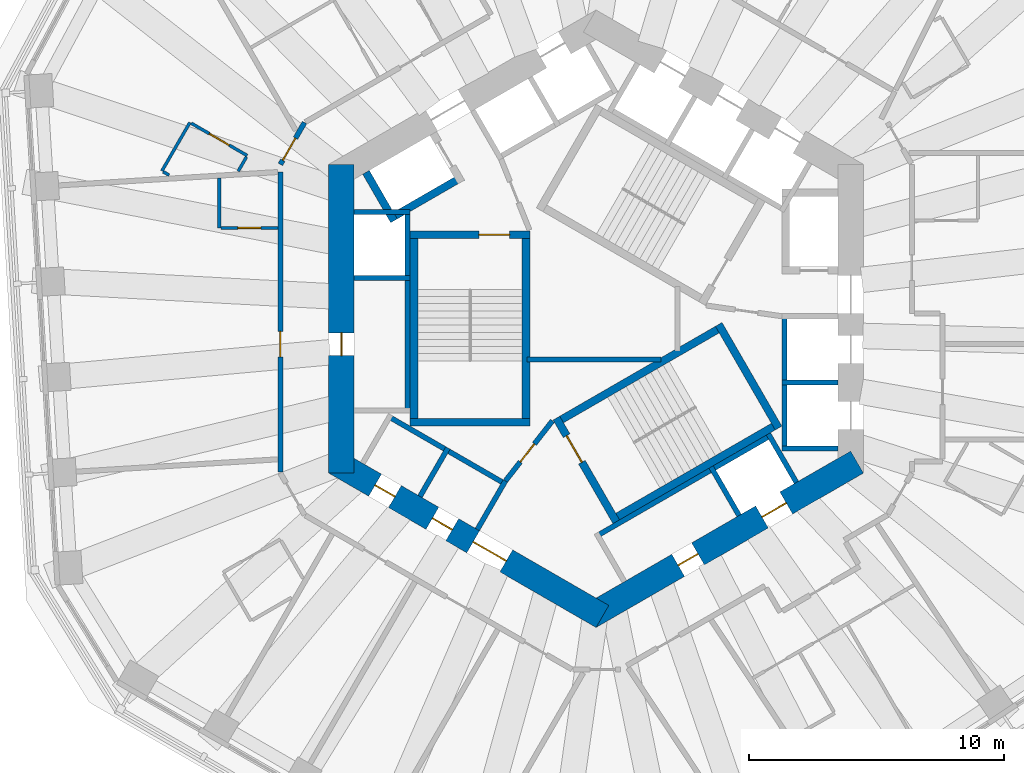
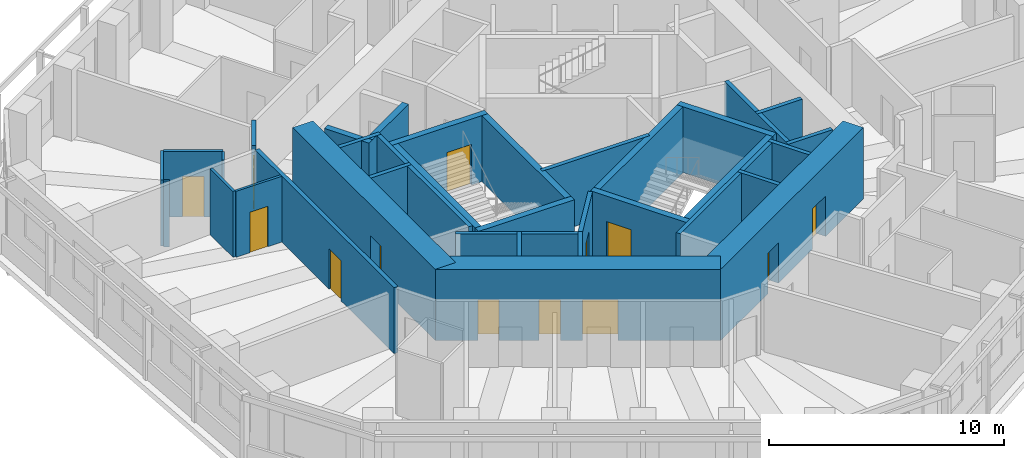
# One storey, part 5 of 12: 35 walls, 13 doors, 13 openings.
"""IFC4 building model written with IfcOpenShell, lengths in metres."""

from ifc_helpers import new_model, si_unit, direction, frame, frame_2d, origin, place, context, subcontext, project, spatial, rectangle, extrude, material, layer, layer_set, type_object, element, fill, save


model = new_model("IFC4")

# Units and contexts
model_context = context("Model", 3, precision=1e-05, world=origin(), true_north=direction((0.0, 1.0)))
body_context = subcontext(model_context, "Body", "Model", "MODEL_VIEW")
ifc_project = project(units=[si_unit("LENGTHUNIT", "METRE"), si_unit("AREAUNIT", "SQUARE_METRE"), si_unit("VOLUMEUNIT", "CUBIC_METRE"), si_unit("PLANEANGLEUNIT", "RADIAN"), si_unit("MASSUNIT", "GRAM", prefix="KILO")], contexts=[model_context])

# Site, building, storey
site_placement = place(None, origin())
site = spatial("IfcSite", under=ifc_project, at=site_placement, CompositionType="ELEMENT")
building_placement = place(site_placement, origin())
building = spatial("IfcBuilding", under=site, at=building_placement, Name="Vanh Sen Convention Tower", CompositionType="ELEMENT")
storey_placement = place(building_placement, frame((0.0, 0.0, 124.39990234375)))
storey = spatial("IfcBuildingStorey", under=building, at=storey_placement, Name="L30", CompositionType="ELEMENT", Elevation=124.39990234375)

# Walls
ifc_material_1 = material(Name="Moisture-resistant gypsum board on steel studs", Category="steel")
ifc_layer_1 = layer(ifc_material_1, 0.1201171875)
ifc_layer_set_1 = layer_set([ifc_layer_1], Name="Moisture-resistant gypsum board on steel studs")
wall_type_1 = type_object("IfcWallType", Name="Bathroom partition 120", PredefinedType="PARTITIONING", material=ifc_layer_set_1)
wall_1_placement = place(storey_placement, frame((-17.052490234375, 5.8037109375, 0.0), z_axis=(0.0, 0.0, 1.0), x_axis=(0.50002983664, 0.866008176907, 0.0)))
element("IfcWall", 1, at=wall_1_placement, inside=storey, type_object=wall_type_1, Name="Bathroom partition 120", PredefinedType="PARTITIONING", context=body_context, shape_type="SweptSolid", body=[
    extrude(rectangle(XDim=2.199951171875, YDim=0.1201171875, at=frame_2d((1.10009765625, 0.0))), origin(), (0.0, 0.0, 1.0), 3.420166015625),
])
wall_2_placement = place(storey_placement, frame((-16.769287109375, 5.64013671875, 0.0), z_axis=(0.0, 0.0, 1.0), x_axis=(-0.865926680471, 0.500170954823, 0.0)))
element("IfcWall", 2, at=wall_2_placement, inside=storey, type_object=wall_type_1, Name="Bathroom partition 120", PredefinedType="PARTITIONING", context=body_context, shape_type="SweptSolid", body=[
    extrude(rectangle(XDim=0.26708984375, YDim=0.1201171875, at=frame_2d((0.133544921875, 0.0))), origin(), (0.0, 0.0, 1.0), 3.420166015625),
])

# Wall, opening, door
wall_3_placement = place(storey_placement, frame((-15.900390625, 7.67919921875, 0.0), z_axis=(0.0, 0.0, 1.0), x_axis=(0.866022320763, -0.500005339912, 0.0)))
wall_3 = element("IfcWall", 3, at=wall_3_placement, inside=storey, type_object=wall_type_1, Name="Bathroom partition 120", PredefinedType="PARTITIONING", context=body_context, shape_type="SweptSolid", body=[
    extrude(rectangle(XDim=2.5400390625, YDim=0.1201171875, at=frame_2d((1.27001953125, 0.0))), origin(), (0.0, 0.0, 1.0), 3.420166015625),
])
opening_1_placement = place(wall_3_placement, frame((0.820068359375, 0.0, 0.0)))
opening_1 = element("IfcOpeningElement", 4, at=opening_1_placement, cuts=wall_3, Name="Opening D30114", PredefinedType="OPENING", context=body_context, shape_type="SweptSolid", body=[
    extrude(rectangle(XDim=0.89990234375, YDim=2.10009765625, at=frame_2d((0.449951171875, 1.050048828125))), frame((0.0, 0.070068359375, 0.0), z_axis=(0.0, -1.0, 0.0), x_axis=(1.0, 0.0, 0.0)), (0.0, 0.0, 1.0), 0.14013671875),
])
ifc_material_2 = material(Name="Laminate door in steel frame", Category="steel")
door_type_1 = type_object("IfcDoorType", Name="Room internal door 900", OperationType="SINGLE_SWING_LEFT", PredefinedType="DOOR", material=ifc_material_2)
door_1_placement = place(opening_1_placement, origin())
door_1 = element("IfcDoor", 5, at=door_1_placement, inside=storey, type_object=door_type_1, Name="Internal room door D30114", OperationType="SINGLE_SWING_LEFT", OverallHeight=2.10009765625, OverallWidth=0.89990234375, PredefinedType="DOOR", context=body_context, shape_type="SweptSolid", body=[
    extrude(rectangle(XDim=0.89990234375, YDim=2.10009765625, at=frame_2d((0.449951171875, 1.050048828125))), frame((0.0, 0.02490234375, 0.0), z_axis=(0.0, -1.0, 0.0), x_axis=(1.0, 0.0, 0.0)), (0.0, 0.0, 1.0), 0.050048828125),
])
fill(opening_1, door_1)

# Walls
wall_4_placement = place(storey_placement, frame((-14.800048828125, 3.569091796875, 0.0), z_axis=(0.0, 0.0, 1.0), x_axis=(0.0, 1.0, 0.0)))
element("IfcWall", 6, at=wall_4_placement, inside=storey, type_object=wall_type_1, Name="Bathroom partition 120", PredefinedType="PARTITIONING", context=body_context, shape_type="SweptSolid", body=[
    extrude(rectangle(XDim=1.953369140625, YDim=0.1201171875, at=frame_2d((0.9765625, 0.0))), origin(), (0.0, 0.0, 1.0), 3.420166015625),
])
wall_5_placement = place(storey_placement, frame((-13.730712890625, 6.357177734375, 0.0), z_axis=(0.0, 0.0, 1.0), x_axis=(-0.500090215447, -0.865973311606, 0.0)))
element("IfcWall", 7, at=wall_5_placement, inside=storey, type_object=wall_type_1, Name="Bathroom partition 120", PredefinedType="PARTITIONING", context=body_context, shape_type="SweptSolid", body=[
    extrude(rectangle(XDim=0.6513671875, YDim=0.1201171875, at=frame_2d((0.32568359375, 0.0))), origin(), (0.0, 0.0, 1.0), 3.420166015625),
])

# Wall, opening, door
wall_6_placement = place(storey_placement, frame((-12.5, 3.569091796875, 0.0), z_axis=(0.0, 0.0, 1.0), x_axis=(-1.0, 0.0, 0.0)))
wall_6 = element("IfcWall", 8, at=wall_6_placement, inside=storey, type_object=wall_type_1, Name="Bathroom partition 120", PredefinedType="PARTITIONING", context=body_context, shape_type="SweptSolid", body=[
    extrude(rectangle(XDim=2.239990234375, YDim=0.1201171875, at=frame_2d((1.1201171875, 0.0))), origin(), (0.0, 0.0, 1.0), 3.420166015625),
])
opening_2_placement = place(wall_6_placement, frame((0.669921875, 0.0, 0.0)))
opening_2 = element("IfcOpeningElement", 9, at=opening_2_placement, cuts=wall_6, Name="Opening D30116", PredefinedType="OPENING", context=body_context, shape_type="SweptSolid", body=[
    extrude(rectangle(XDim=0.89990234375, YDim=2.10009765625, at=frame_2d((0.449951171875, 1.050048828125))), frame((0.0, 0.070068359375, 0.0), z_axis=(0.0, -1.0, 0.0), x_axis=(1.0, 0.0, 0.0)), (0.0, 0.0, 1.0), 0.14013671875),
])
door_2_placement = place(opening_2_placement, origin())
door_2 = element("IfcDoor", 10, at=door_2_placement, inside=storey, type_object=door_type_1, Name="Internal room door D30116", OperationType="SINGLE_SWING_LEFT", OverallHeight=2.10009765625, OverallWidth=0.89990234375, PredefinedType="DOOR", context=body_context, shape_type="SweptSolid", body=[
    extrude(rectangle(XDim=0.89990234375, YDim=2.10009765625, at=frame_2d((0.449951171875, 1.050048828125))), frame((0.0, 0.02490234375, 0.0), z_axis=(0.0, -1.0, 0.0), x_axis=(1.0, 0.0, 0.0)), (0.0, 0.0, 1.0), 0.050048828125),
])
fill(opening_2, door_2)

ifc_material_3 = material(Name="Concrete C80/95", Category="concrete")
ifc_layer_2 = layer(ifc_material_3, 1.0)
ifc_layer_set_2 = layer_set([ifc_layer_2], Name="Concrete C80/95")
wall_type_2 = type_object("IfcWallType", Name="Core outer wall 1000 C80/95", PredefinedType="SHEAR", material=ifc_layer_set_2)
wall_7_placement = place(storey_placement, frame((-10.0, 6.062255859375, 0.0), z_axis=(0.0, 0.0, 1.0), x_axis=(0.0, -1.0, 0.0)))
wall_7 = element("IfcWall", 11, at=wall_7_placement, inside=storey, type_object=wall_type_2, Name="Core wall face W L30", PredefinedType="SHEAR", context=body_context, shape_type="SweptSolid", body=[
    extrude(rectangle(XDim=12.12451171875, YDim=1.0, at=frame_2d((6.062255859375, 0.0))), origin(), (0.0, 0.0, 1.0), 3.7001953125),
])
opening_3_placement = place(wall_7_placement, frame((6.6123046875, 0.0, 0.0)))
opening_3 = element("IfcOpeningElement", 12, at=opening_3_placement, cuts=wall_7, Name="Opening D30010", PredefinedType="OPENING", context=body_context, shape_type="SweptSolid", body=[
    extrude(rectangle(XDim=0.89990234375, YDim=2.10009765625, at=frame_2d((0.449951171875, 1.050048828125))), frame((0.0, 0.510009765625, 0.0), z_axis=(0.0, -1.0, 0.0), x_axis=(1.0, 0.0, 0.0)), (0.0, 0.0, 1.0), 1.02001953125),
])
ifc_material_4 = material(Name="Steel S355", Category="steel")
door_type_2 = type_object("IfcDoorType", Name="Plant door 900", OperationType="SINGLE_SWING_LEFT", PredefinedType="DOOR", material=ifc_material_4)
door_3_placement = place(opening_3_placement, origin())
door_3 = element("IfcDoor", 13, at=door_3_placement, inside=storey, type_object=door_type_2, Name="Plant door D30010", OperationType="SINGLE_SWING_LEFT", OverallHeight=2.10009765625, OverallWidth=0.89990234375, PredefinedType="DOOR", context=body_context, shape_type="SweptSolid", body=[
    extrude(rectangle(XDim=0.89990234375, YDim=2.10009765625, at=frame_2d((0.449951171875, 1.050048828125))), frame((0.0, 0.02490234375, 0.0), z_axis=(0.0, -1.0, 0.0), x_axis=(1.0, 0.0, 0.0)), (0.0, 0.0, 1.0), 0.050048828125),
])
fill(opening_3, door_3)

# Wall, openings, doors
wall_8_placement = place(storey_placement, frame((-10.25, -5.629150390625, 0.0), z_axis=(0.0, 0.0, 1.0), x_axis=(0.866022616891, -0.50000482701, 0.0)))
wall_8 = element("IfcWall", 14, at=wall_8_placement, inside=storey, type_object=wall_type_2, Name="Core wall face SW L30", PredefinedType="SHEAR", context=body_context, shape_type="SweptSolid", body=[
    extrude(rectangle(XDim=12.12451171875, YDim=1.0, at=frame_2d((6.062255859375, 0.0))), origin(), (0.0, 0.0, 1.0), 3.7001953125),
])
opening_4_placement = place(wall_8_placement, frame((6.26220703125, 0.0, 0.0)))
opening_4 = element("IfcOpeningElement", 15, at=opening_4_placement, cuts=wall_8, Name="Opening D30003", PredefinedType="OPENING", context=body_context, shape_type="SweptSolid", body=[
    extrude(rectangle(XDim=1.5, YDim=2.10009765625, at=frame_2d((0.75, 1.050048828125))), frame((0.0, 0.510009765625, 0.0), z_axis=(0.0, -1.0, 0.0), x_axis=(1.0, 0.0, 0.0)), (0.0, 0.0, 1.0), 1.02001953125),
])
opening_5_placement = place(wall_8_placement, frame((1.812255859375, 0.0, 0.0)))
opening_5 = element("IfcOpeningElement", 16, at=opening_5_placement, cuts=wall_8, Name="Opening D30011", PredefinedType="OPENING", context=body_context, shape_type="SweptSolid", body=[
    extrude(rectangle(XDim=0.89990234375, YDim=2.10009765625, at=frame_2d((0.449951171875, 1.050048828125))), frame((0.0, 0.510009765625, 0.0), z_axis=(0.0, -1.0, 0.0), x_axis=(1.0, 0.0, 0.0)), (0.0, 0.0, 1.0), 1.02001953125),
])
opening_6_placement = place(wall_8_placement, frame((4.412109375, 0.0, 0.0)))
opening_6 = element("IfcOpeningElement", 17, at=opening_6_placement, cuts=wall_8, Name="Opening D30012", PredefinedType="OPENING", context=body_context, shape_type="SweptSolid", body=[
    extrude(rectangle(XDim=0.89990234375, YDim=2.10009765625, at=frame_2d((0.449951171875, 1.050048828125))), frame((0.0, 0.510009765625, 0.0), z_axis=(0.0, -1.0, 0.0), x_axis=(1.0, 0.0, 0.0)), (0.0, 0.0, 1.0), 1.02001953125),
])
door_4_placement = place(opening_5_placement, origin())
door_4 = element("IfcDoor", 18, at=door_4_placement, inside=storey, type_object=door_type_2, Name="Plant door D30011", OperationType="SINGLE_SWING_LEFT", OverallHeight=2.10009765625, OverallWidth=0.89990234375, PredefinedType="DOOR", context=body_context, shape_type="SweptSolid", body=[
    extrude(rectangle(XDim=0.89990234375, YDim=2.10009765625, at=frame_2d((0.449951171875, 1.050048828125))), frame((0.0, 0.02490234375, 0.0), z_axis=(0.0, -1.0, 0.0), x_axis=(1.0, 0.0, 0.0)), (0.0, 0.0, 1.0), 0.050048828125),
])
fill(opening_5, door_4)
door_5_placement = place(opening_6_placement, origin())
door_5 = element("IfcDoor", 19, at=door_5_placement, inside=storey, type_object=door_type_2, Name="Plant door D30012", OperationType="SINGLE_SWING_LEFT", OverallHeight=2.10009765625, OverallWidth=0.89990234375, PredefinedType="DOOR", context=body_context, shape_type="SweptSolid", body=[
    extrude(rectangle(XDim=0.89990234375, YDim=2.10009765625, at=frame_2d((0.449951171875, 1.050048828125))), frame((0.0, 0.02490234375, 0.0), z_axis=(0.0, -1.0, 0.0), x_axis=(1.0, 0.0, 0.0)), (0.0, 0.0, 1.0), 0.050048828125),
])
fill(opening_6, door_5)
door_type_3 = type_object("IfcDoorType", Name="Stair lobby door 1500", OperationType="DOUBLE_DOOR_SINGLE_SWING", PredefinedType="DOOR", material=ifc_material_4)
door_6_placement = place(opening_4_placement, origin())
door_6 = element("IfcDoor", 20, at=door_6_placement, inside=storey, type_object=door_type_3, Name="Stair lobby door D30003", OperationType="DOUBLE_DOOR_SINGLE_SWING", OverallHeight=2.10009765625, OverallWidth=1.5, PredefinedType="DOOR", context=body_context, shape_type="SweptSolid", body=[
    extrude(rectangle(XDim=1.5, YDim=2.10009765625, at=frame_2d((0.75, 1.050048828125))), frame((0.0, 0.02490234375, 0.0), z_axis=(0.0, -1.0, 0.0), x_axis=(1.0, 0.0, 0.0)), (0.0, 0.0, 1.0), 0.050048828125),
])
fill(opening_4, door_6)

wall_9_placement = place(storey_placement, frame((-0.25, -11.69140625, 0.0), z_axis=(0.0, 0.0, 1.0), x_axis=(0.866022616891, 0.50000482701, 0.0)))
wall_9 = element("IfcWall", 21, at=wall_9_placement, inside=storey, type_object=wall_type_2, Name="Core wall face SE L30", PredefinedType="SHEAR", context=body_context, shape_type="SweptSolid", body=[
    extrude(rectangle(XDim=12.12451171875, YDim=1.0, at=frame_2d((6.062255859375, 0.0))), origin(), (0.0, 0.0, 1.0), 3.7001953125),
])
opening_7_placement = place(wall_9_placement, frame((4.01220703125, 0.0, 0.0)))
opening_7 = element("IfcOpeningElement", 22, at=opening_7_placement, cuts=wall_9, Name="Opening D30013", PredefinedType="OPENING", context=body_context, shape_type="SweptSolid", body=[
    extrude(rectangle(XDim=0.89990234375, YDim=2.10009765625, at=frame_2d((0.449951171875, 1.050048828125))), frame((0.0, 0.510009765625, 0.0), z_axis=(0.0, -1.0, 0.0), x_axis=(1.0, 0.0, 0.0)), (0.0, 0.0, 1.0), 1.02001953125),
])
opening_8_placement = place(wall_9_placement, frame((7.812255859375, 0.0, 0.0)))
opening_8 = element("IfcOpeningElement", 23, at=opening_8_placement, cuts=wall_9, Name="Opening LD-SV1", PredefinedType="OPENING", context=body_context, shape_type="SweptSolid", body=[
    extrude(rectangle(XDim=1.10009765625, YDim=2.10009765625, at=frame_2d((0.550048828125, 1.050048828125))), frame((0.0, 0.510009765625, 0.0), z_axis=(0.0, -1.0, 0.0), x_axis=(1.0, 0.0, 0.0)), (0.0, 0.0, 1.0), 1.02001953125),
])
ifc_material_5 = material(Name="Stainless steel", Category="steel")
door_type_4 = type_object("IfcDoorType", Name="Lift landing door 1100", OperationType="DOUBLE_DOOR_SLIDING", PredefinedType="DOOR", material=ifc_material_5)
door_7_placement = place(opening_8_placement, origin())
door_7 = element("IfcDoor", 24, at=door_7_placement, inside=storey, type_object=door_type_4, Name="Lift SV1 landing door LD-SV1", OperationType="DOUBLE_DOOR_SLIDING", OverallHeight=2.10009765625, OverallWidth=1.10009765625, PredefinedType="DOOR", context=body_context, shape_type="SweptSolid", body=[
    extrude(rectangle(XDim=1.10009765625, YDim=2.10009765625, at=frame_2d((0.550048828125, 1.050048828125))), frame((0.0, 0.02490234375, 0.0), z_axis=(0.0, -1.0, 0.0), x_axis=(1.0, 0.0, 0.0)), (0.0, 0.0, 1.0), 0.050048828125),
])
fill(opening_8, door_7)
door_8_placement = place(opening_7_placement, origin())
door_8 = element("IfcDoor", 25, at=door_8_placement, inside=storey, type_object=door_type_2, Name="Plant door D30013", OperationType="SINGLE_SWING_LEFT", OverallHeight=2.10009765625, OverallWidth=0.89990234375, PredefinedType="DOOR", context=body_context, shape_type="SweptSolid", body=[
    extrude(rectangle(XDim=0.89990234375, YDim=2.10009765625, at=frame_2d((0.449951171875, 1.050048828125))), frame((0.0, 0.02490234375, 0.0), z_axis=(0.0, -1.0, 0.0), x_axis=(1.0, 0.0, 0.0)), (0.0, 0.0, 1.0), 0.050048828125),
])
fill(opening_7, door_8)

# Wall
ifc_material_6 = material(Name="Masonry blockwork", Category="masonry")
ifc_layer_3 = layer(ifc_material_6, 0.199951171875)
ifc_layer_set_3 = layer_set([ifc_layer_3], Name="Masonry blockwork")
wall_type_3 = type_object("IfcWallType", Name="Core partition 200", PredefinedType="PARTITIONING", material=ifc_layer_set_3)
wall_10_placement = place(storey_placement, frame((-2.719970703125, -1.60009765625, 0.0), z_axis=(0.0, 0.0, 1.0), x_axis=(1.0, 0.0, 0.0)))
element("IfcWall", 26, at=wall_10_placement, inside=storey, type_object=wall_type_3, Name="Core partition L30", PredefinedType="PARTITIONING", context=body_context, shape_type="SweptSolid", body=[
    extrude(rectangle(XDim=5.2685546875, YDim=0.199951171875, at=frame_2d((2.63427734375, 0.0))), origin(), (0.0, 0.0, 1.0), 3.420166015625),
])

# Wall, opening, door
ifc_material_7 = material(Name="Gypsum board on steel studs with mineral wool", Category="steel")
ifc_layer_4 = layer(ifc_material_7, 0.199951171875)
ifc_layer_set_4 = layer_set([ifc_layer_4], Name="Gypsum board on steel studs with mineral wool")
wall_type_4 = type_object("IfcWallType", Name="Corridor partition wall 200", PredefinedType="PARTITIONING", material=ifc_layer_set_4)
wall_11_placement = place(storey_placement, frame((-12.39990234375, 5.769287109375, 0.0), z_axis=(0.0, 0.0, 1.0), x_axis=(0.0, -1.0, 0.0)))
wall_11 = element("IfcWall", 27, at=wall_11_placement, inside=storey, type_object=wall_type_4, Name="Corridor partition wall 200", PredefinedType="PARTITIONING", context=body_context, shape_type="SweptSolid", body=[
    extrude(rectangle(XDim=11.79150390625, YDim=0.199951171875, at=frame_2d((5.895751953125, 0.0))), origin(), (0.0, 0.0, 1.0), 3.420166015625),
])
opening_9_placement = place(wall_11_placement, frame((6.2666015625, 0.0, 0.0)))
opening_9 = element("IfcOpeningElement", 28, at=opening_9_placement, cuts=wall_11, Name="Opening D30115", PredefinedType="OPENING", context=body_context, shape_type="SweptSolid", body=[
    extrude(rectangle(XDim=1.0, YDim=2.10009765625, at=frame_2d((0.5, 1.050048828125))), frame((0.0, 0.10986328125, 0.0), z_axis=(0.0, -1.0, 0.0), x_axis=(1.0, 0.0, 0.0)), (0.0, 0.0, 1.0), 0.219970703125),
])
ifc_material_8 = material(Name="Glazed fire door in steel frame", Category="steel")
door_type_5 = type_object("IfcDoorType", Name="Tenant entrance door 1000", OperationType="SINGLE_SWING_LEFT", PredefinedType="DOOR", material=ifc_material_8)
door_9_placement = place(opening_9_placement, origin())
door_9 = element("IfcDoor", 29, at=door_9_placement, inside=storey, type_object=door_type_5, Name="Tenant suite entrance door D30115", OperationType="SINGLE_SWING_LEFT", OverallHeight=2.10009765625, OverallWidth=1.0, PredefinedType="DOOR", context=body_context, shape_type="SweptSolid", body=[
    extrude(rectangle(XDim=1.0, YDim=2.10009765625, at=frame_2d((0.5, 1.050048828125))), frame((0.0, 0.02490234375, 0.0), z_axis=(0.0, -1.0, 0.0), x_axis=(1.0, 0.0, 0.0)), (0.0, 0.0, 1.0), 0.050048828125),
])
fill(opening_9, door_9)

wall_12_placement = place(storey_placement, frame((-11.449951171875, 7.70751953125, 0.0), z_axis=(0.0, 0.0, 1.0), x_axis=(-0.500022797313, -0.86601224135, 0.0)))
wall_12 = element("IfcWall", 30, at=wall_12_placement, inside=storey, type_object=wall_type_4, Name="Corridor partition wall 200", PredefinedType="PARTITIONING", context=body_context, shape_type="SweptSolid", body=[
    extrude(rectangle(XDim=1.89990234375, YDim=0.199951171875, at=frame_2d((0.949951171875, 0.0))), origin(), (0.0, 0.0, 1.0), 3.420166015625),
])
opening_10_placement = place(wall_12_placement, frame((0.711669921875, 0.0, 0.0)))
opening_10 = element("IfcOpeningElement", 31, at=opening_10_placement, cuts=wall_12, Name="Opening D30113", PredefinedType="OPENING", context=body_context, shape_type="SweptSolid", body=[
    extrude(rectangle(XDim=1.0, YDim=2.10009765625, at=frame_2d((0.5, 1.050048828125))), frame((0.0, 0.10986328125, 0.0), z_axis=(0.0, -1.0, 0.0), x_axis=(1.0, 0.0, 0.0)), (0.0, 0.0, 1.0), 0.219970703125),
])
door_10_placement = place(opening_10_placement, origin())
door_10 = element("IfcDoor", 32, at=door_10_placement, inside=storey, type_object=door_type_5, Name="Tenant suite entrance door D30113", OperationType="SINGLE_SWING_LEFT", OverallHeight=2.10009765625, OverallWidth=1.0, PredefinedType="DOOR", context=body_context, shape_type="SweptSolid", body=[
    extrude(rectangle(XDim=1.0, YDim=2.10009765625, at=frame_2d((0.5, 1.050048828125))), frame((0.0, 0.02490234375, 0.0), z_axis=(0.0, -1.0, 0.0), x_axis=(1.0, 0.0, 0.0)), (0.0, 0.0, 1.0), 0.050048828125),
])
fill(opening_10, door_10)

# Walls
ifc_material_9 = material(Name="Concrete C60/75", Category="concrete")
ifc_layer_5 = layer(ifc_material_9, 0.300048828125)
ifc_layer_set_5 = layer_set([ifc_layer_5], Name="Concrete C60/75")
wall_type_5 = type_object("IfcWallType", Name="Fire-fighting lift shaft wall 300", PredefinedType="SHEAR", material=ifc_layer_set_5)
wall_13_placement = place(storey_placement, frame((-5.240478515625, 5.576904296875, 0.0), z_axis=(0.0, 0.0, 1.0), x_axis=(-0.866014461049, -0.500018952895, 0.0)))
element("IfcWall", 33, at=wall_13_placement, inside=storey, type_object=wall_type_5, Name="Fire-fighting lift shaft wall L30", PredefinedType="SHEAR", context=body_context, shape_type="SweptSolid", body=[
    extrude(rectangle(XDim=3.349853515625, YDim=0.300048828125, at=frame_2d((1.6748046875, 0.0))), origin(), (0.0, 0.0, 1.0), 3.420166015625),
])
wall_14_placement = place(storey_placement, frame((-7.936767578125, 3.846923828125, 0.0), z_axis=(0.0, 0.0, 1.0), x_axis=(-0.50002983664, 0.866008176907, 0.0)))
element("IfcWall", 34, at=wall_14_placement, inside=storey, type_object=wall_type_5, Name="Fire-fighting lift shaft wall L30", PredefinedType="SHEAR", context=body_context, shape_type="SweptSolid", body=[
    extrude(rectangle(XDim=2.199951171875, YDim=0.300048828125, at=frame_2d((1.10009765625, 0.0))), origin(), (0.0, 0.0, 1.0), 3.420166015625),
])
ifc_material_10 = material(Name="Concrete C40/50", Category="concrete")
ifc_layer_6 = layer(ifc_material_10, 0.199951171875)
ifc_layer_set_6 = layer_set([ifc_layer_6], Name="Concrete C40/50")
wall_type_6 = type_object("IfcWallType", Name="Lift shaft wall 200", PredefinedType="PARTITIONING", material=ifc_layer_set_6)
wall_15_placement = place(storey_placement, frame((7.39990234375, -5.199951171875, 0.0), z_axis=(0.0, 0.0, 1.0), x_axis=(0.0, 1.0, 0.0)))
element("IfcWall", 35, at=wall_15_placement, inside=storey, type_object=wall_type_6, Name="Lift shaft wall L30", PredefinedType="PARTITIONING", context=body_context, shape_type="SweptSolid", body=[
    extrude(rectangle(XDim=5.39990234375, YDim=0.199951171875, at=frame_2d((2.699951171875, 0.0))), origin(), (0.0, 0.0, 1.0), 3.420166015625),
])
for number, where, z_axis, x_axis, name in (
    (36, (7.300048828125, -5.10009765625, 0.0), (0.0, 0.0, 1.0), (1.0, 0.0, 0.0), "Lift shaft wall L30"),
    (37, (7.300048828125, -2.5, 0.0), (0.0, 0.0, 1.0), (1.0, 0.0, 0.0), "Lift shaft wall L30"),
):
    element("IfcWall", number, at=place(storey_placement, frame(where, z_axis=z_axis, x_axis=x_axis)), inside=storey, type_object=wall_type_6, Name=name, PredefinedType="PARTITIONING", context=body_context, shape_type="SweptSolid", body=[
        extrude(rectangle(XDim=2.199951171875, YDim=0.199951171875, at=frame_2d((1.10009765625, 0.0))), origin(), (0.0, 0.0, 1.0), 3.420166015625),
    ])
wall_16_placement = place(storey_placement, frame((-7.39990234375, 4.300048828125, 0.0), z_axis=(0.0, 0.0, 1.0), x_axis=(0.0, -1.0, 0.0)))
element("IfcWall", 38, at=wall_16_placement, inside=storey, type_object=wall_type_6, Name="Lift shaft wall L30", PredefinedType="PARTITIONING", context=body_context, shape_type="SweptSolid", body=[
    extrude(rectangle(XDim=8.0, YDim=0.199951171875, at=frame_2d((4.0, 0.0))), origin(), (0.0, 0.0, 1.0), 3.420166015625),
])
for number, where, z_axis, x_axis, name in (
    (39, (-7.300048828125, 4.199951171875, 0.0), (0.0, 0.0, 1.0), (-1.0, 0.0, 0.0), "Lift shaft wall L30"),
    (40, (-7.300048828125, 1.60009765625, 0.0), (0.0, 0.0, 1.0), (-1.0, 0.0, 0.0), "Lift shaft wall L30"),
):
    element("IfcWall", number, at=place(storey_placement, frame(where, z_axis=z_axis, x_axis=x_axis)), inside=storey, type_object=wall_type_6, Name=name, PredefinedType="PARTITIONING", context=body_context, shape_type="SweptSolid", body=[
        extrude(rectangle(XDim=2.199951171875, YDim=0.199951171875, at=frame_2d((1.10009765625, 0.0))), origin(), (0.0, 0.0, 1.0), 3.420166015625),
    ])
wall_17_placement = place(storey_placement, frame((-8.203369140625, -3.80859375, 0.0), z_axis=(0.0, 0.0, 1.0), x_axis=(0.866028230842, -0.499995103361, 0.0)))
element("IfcWall", 41, at=wall_17_placement, inside=storey, type_object=wall_type_6, Name="Lift shaft wall L30", PredefinedType="PARTITIONING", context=body_context, shape_type="SweptSolid", body=[
    extrude(rectangle(XDim=5.39990234375, YDim=0.199951171875, at=frame_2d((2.699951171875, 0.0))), origin(), (0.0, 0.0, 1.0), 3.420166015625),
])
wall_18_placement = place(storey_placement, frame((-5.815185546875, -5.072021484375, 0.0), z_axis=(0.0, 0.0, 1.0), x_axis=(-0.499946605688, -0.86605622881, 0.0)))
element("IfcWall", 42, at=wall_18_placement, inside=storey, type_object=wall_type_6, Name="Lift shaft wall L30", PredefinedType="PARTITIONING", context=body_context, shape_type="SweptSolid", body=[
    extrude(rectangle(XDim=2.199951171875, YDim=0.199951171875, at=frame_2d((1.10009765625, 0.0))), origin(), (0.0, 0.0, 1.0), 3.420166015625),
])
wall_19_placement = place(storey_placement, frame((-3.5634765625, -6.3720703125, 0.0), z_axis=(0.0, 0.0, 1.0), x_axis=(-0.499994660107, -0.866028486751, 0.0)))
element("IfcWall", 43, at=wall_19_placement, inside=storey, type_object=wall_type_6, Name="Lift shaft wall L30", PredefinedType="PARTITIONING", context=body_context, shape_type="SweptSolid", body=[
    extrude(rectangle(XDim=2.19970703125, YDim=0.199951171875, at=frame_2d((1.099853515625, 0.0))), origin(), (0.0, 0.0, 1.0), 3.420166015625),
])
wall_20_placement = place(storey_placement, frame((-0.02392578125, -8.55859375, 0.0), z_axis=(0.0, 0.0, 1.0), x_axis=(0.866026010844, 0.49999894854, 0.0)))
element("IfcWall", 44, at=wall_20_placement, inside=storey, type_object=wall_type_6, Name="Lift shaft wall L30", PredefinedType="PARTITIONING", context=body_context, shape_type="SweptSolid", body=[
    extrude(rectangle(XDim=8.0, YDim=0.199951171875, at=frame_2d((4.0, 0.0))), origin(), (0.0, 0.0, 1.0), 3.420166015625),
])
for number, where, z_axis, x_axis, name in (
    (45, (4.51611328125, -5.822021484375, 0.0), (0.0, 0.0, 1.0), (0.499946605688, -0.86605622881, 0.0), "Lift shaft wall L30"),
    (46, (6.767578125, -4.52197265625, 0.0), (0.0, 0.0, 1.0), (0.50002983664, -0.866008176907, 0.0), "Lift shaft wall L30"),
):
    element("IfcWall", number, at=place(storey_placement, frame(where, z_axis=z_axis, x_axis=x_axis)), inside=storey, type_object=wall_type_6, Name=name, PredefinedType="PARTITIONING", context=body_context, shape_type="SweptSolid", body=[
        extrude(rectangle(XDim=2.199951171875, YDim=0.199951171875, at=frame_2d((1.10009765625, 0.0))), origin(), (0.0, 0.0, 1.0), 3.420166015625),
    ])

# Wall, opening, door
ifc_layer_7 = layer(ifc_material_10, 0.199951171875)
ifc_layer_set_7 = layer_set([ifc_layer_7], Name="Concrete C40/50")
wall_type_7 = type_object("IfcWallType", Name="Stair lobby wall 200", PredefinedType="PARTITIONING", material=ifc_layer_set_7)
wall_21_placement = place(storey_placement, frame((-1.71240234375, -4.00830078125, 0.0), z_axis=(0.0, 0.0, 1.0), x_axis=(-0.616549420702, -0.787316208287, 0.0)))
wall_21 = element("IfcWall", 47, at=wall_21_placement, inside=storey, type_object=wall_type_7, Name="Stair lobby wall L30", PredefinedType="PARTITIONING", context=body_context, shape_type="SweptSolid", body=[
    extrude(rectangle(XDim=3.002197265625, YDim=0.199951171875, at=frame_2d((1.5009765625, 0.0))), origin(), (0.0, 0.0, 1.0), 3.420166015625),
])
opening_11_placement = place(wall_21_placement, frame((1.14990234375, 0.0, 0.0)))
opening_11 = element("IfcOpeningElement", 48, at=opening_11_placement, cuts=wall_21, Name="Opening D30009", PredefinedType="OPENING", context=body_context, shape_type="SweptSolid", body=[
    extrude(rectangle(XDim=0.89990234375, YDim=2.10009765625, at=frame_2d((0.449951171875, 1.050048828125))), frame((0.0, 0.10986328125, 0.0), z_axis=(0.0, -1.0, 0.0), x_axis=(1.0, 0.0, 0.0)), (0.0, 0.0, 1.0), 0.219970703125),
])
door_11_placement = place(opening_11_placement, origin())
door_11 = element("IfcDoor", 49, at=door_11_placement, inside=storey, type_object=door_type_2, Name="Plant door D30009", OperationType="SINGLE_SWING_LEFT", OverallHeight=2.10009765625, OverallWidth=0.89990234375, PredefinedType="DOOR", context=body_context, shape_type="SweptSolid", body=[
    extrude(rectangle(XDim=0.89990234375, YDim=2.10009765625, at=frame_2d((0.449951171875, 1.050048828125))), frame((0.0, 0.02490234375, 0.0), z_axis=(0.0, -1.0, 0.0), x_axis=(1.0, 0.0, 0.0)), (0.0, 0.0, 1.0), 0.050048828125),
])
fill(opening_11, door_11)

ifc_layer_8 = layer(ifc_material_9, 0.300048828125)
ifc_layer_set_8 = layer_set([ifc_layer_8], Name="Concrete C60/75")
wall_type_8 = type_object("IfcWallType", Name="Stair wall 300", PredefinedType="SHEAR", material=ifc_layer_set_8)
wall_22_placement = place(storey_placement, frame((-2.60009765625, 3.300048828125, 0.0), z_axis=(0.0, 0.0, 1.0), x_axis=(-1.0, 0.0, 0.0)))
wall_22 = element("IfcWall", 50, at=wall_22_placement, inside=storey, type_object=wall_type_8, Name="Stair wall L30", PredefinedType="SHEAR", context=body_context, shape_type="SweptSolid", body=[
    extrude(rectangle(XDim=4.699951171875, YDim=0.300048828125, at=frame_2d((2.35009765625, 0.0))), origin(), (0.0, 0.0, 1.0), 3.420166015625),
])
opening_12_placement = place(wall_22_placement, frame((0.800048828125, 0.0, 0.0)))
opening_12 = element("IfcOpeningElement", 51, at=opening_12_placement, cuts=wall_22, Name="Opening D30005", PredefinedType="OPENING", context=body_context, shape_type="SweptSolid", body=[
    extrude(rectangle(XDim=1.199951171875, YDim=2.10009765625, at=frame_2d((0.60009765625, 1.050048828125))), frame((0.0, 0.159912109375, 0.0), z_axis=(0.0, -1.0, 0.0), x_axis=(1.0, 0.0, 0.0)), (0.0, 0.0, 1.0), 0.320068359375),
])
door_type_6 = type_object("IfcDoorType", Name="Stair door 1200", OperationType="SINGLE_SWING_RIGHT", PredefinedType="DOOR", material=ifc_material_4)
door_12_placement = place(opening_12_placement, origin())
door_12 = element("IfcDoor", 52, at=door_12_placement, inside=storey, type_object=door_type_6, Name="Stair ST2 door D30005", OperationType="SINGLE_SWING_RIGHT", OverallHeight=2.10009765625, OverallWidth=1.199951171875, PredefinedType="DOOR", context=body_context, shape_type="SweptSolid", body=[
    extrude(rectangle(XDim=1.199951171875, YDim=2.10009765625, at=frame_2d((0.60009765625, 1.050048828125))), frame((0.0, 0.02490234375, 0.0), z_axis=(0.0, -1.0, 0.0), x_axis=(1.0, 0.0, 0.0)), (0.0, 0.0, 1.0), 0.050048828125),
])
fill(opening_12, door_12)

# Walls
wall_23_placement = place(storey_placement, frame((-2.60009765625, -4.06005859375, 0.0), z_axis=(0.0, 0.0, 1.0), x_axis=(-1.0, 0.0, 0.0)))
element("IfcWall", 53, at=wall_23_placement, inside=storey, type_object=wall_type_8, Name="Stair wall L30", PredefinedType="SHEAR", context=body_context, shape_type="SweptSolid", body=[
    extrude(rectangle(XDim=4.699951171875, YDim=0.300048828125, at=frame_2d((2.35009765625, 0.0))), origin(), (0.0, 0.0, 1.0), 3.420166015625),
])
for number, where, z_axis, x_axis, name in (
    (54, (-2.75, 3.14990234375, 0.0), (0.0, 0.0, 1.0), (0.0, -1.0, 0.0), "Stair wall L30"),
    (55, (-7.14990234375, 3.14990234375, 0.0), (0.0, 0.0, 1.0), (0.0, -1.0, 0.0), "Stair wall L30"),
):
    element("IfcWall", number, at=place(storey_placement, frame(where, z_axis=z_axis, x_axis=x_axis)), inside=storey, type_object=wall_type_8, Name=name, PredefinedType="SHEAR", context=body_context, shape_type="SweptSolid", body=[
        extrude(rectangle(XDim=7.059814453125, YDim=0.300048828125, at=frame_2d((3.52978515625, 0.0))), origin(), (0.0, 0.0, 1.0), 3.420166015625),
    ])

# Wall, opening, door
wall_24_placement = place(storey_placement, frame((-1.557861328125, -3.901611328125, 0.0), z_axis=(0.0, 0.0, 1.0), x_axis=(0.499977259774, -0.866038532462, 0.0)))
wall_24 = element("IfcWall", 56, at=wall_24_placement, inside=storey, type_object=wall_type_8, Name="Stair wall L30", PredefinedType="SHEAR", context=body_context, shape_type="SweptSolid", body=[
    extrude(rectangle(XDim=4.699951171875, YDim=0.300048828125, at=frame_2d((2.35009765625, 0.0))), origin(), (0.0, 0.0, 1.0), 3.420166015625),
])
opening_13_placement = place(wall_24_placement, frame((0.800048828125, 0.0, 0.0)))
opening_13 = element("IfcOpeningElement", 57, at=opening_13_placement, cuts=wall_24, Name="Opening D30006", PredefinedType="OPENING", context=body_context, shape_type="SweptSolid", body=[
    extrude(rectangle(XDim=1.199951171875, YDim=2.10009765625, at=frame_2d((0.60009765625, 1.050048828125))), frame((0.0, 0.159912109375, 0.0), z_axis=(0.0, -1.0, 0.0), x_axis=(1.0, 0.0, 0.0)), (0.0, 0.0, 1.0), 0.320068359375),
])
door_13_placement = place(opening_13_placement, origin())
door_13 = element("IfcDoor", 58, at=door_13_placement, inside=storey, type_object=door_type_6, Name="Stair ST3 door D30006", OperationType="SINGLE_SWING_RIGHT", OverallHeight=2.10009765625, OverallWidth=1.199951171875, PredefinedType="DOOR", context=body_context, shape_type="SweptSolid", body=[
    extrude(rectangle(XDim=1.199951171875, YDim=2.10009765625, at=frame_2d((0.60009765625, 1.050048828125))), frame((0.0, 0.02490234375, 0.0), z_axis=(0.0, -1.0, 0.0), x_axis=(1.0, 0.0, 0.0)), (0.0, 0.0, 1.0), 0.050048828125),
])
fill(opening_13, door_13)

# Walls
wall_25_placement = place(storey_placement, frame((4.816162109375, -0.2216796875, 0.0), z_axis=(0.0, 0.0, 1.0), x_axis=(0.499977259774, -0.866038532462, 0.0)))
element("IfcWall", 59, at=wall_25_placement, inside=storey, type_object=wall_type_8, Name="Stair wall L30", PredefinedType="SHEAR", context=body_context, shape_type="SweptSolid", body=[
    extrude(rectangle(XDim=4.699951171875, YDim=0.300048828125, at=frame_2d((2.35009765625, 0.0))), origin(), (0.0, 0.0, 1.0), 3.420166015625),
])
for number, where, z_axis, x_axis, name in (
    (60, (-1.35302734375, -3.95654296875, 0.0), (0.0, 0.0, 1.0), (0.866027801685, 0.499995846692, 0.0), "Stair wall L30"),
    (61, (0.846923828125, -7.76708984375, 0.0), (0.0, 0.0, 1.0), (0.866027801685, 0.499995846692, 0.0), "Stair wall L30"),
):
    element("IfcWall", number, at=place(storey_placement, frame(where, z_axis=z_axis, x_axis=x_axis)), inside=storey, type_object=wall_type_8, Name=name, PredefinedType="SHEAR", context=body_context, shape_type="SweptSolid", body=[
        extrude(rectangle(XDim=7.06005859375, YDim=0.300048828125, at=frame_2d((3.530029296875, 0.0))), origin(), (0.0, 0.0, 1.0), 3.420166015625),
    ])

save(model, "model.ifc")
